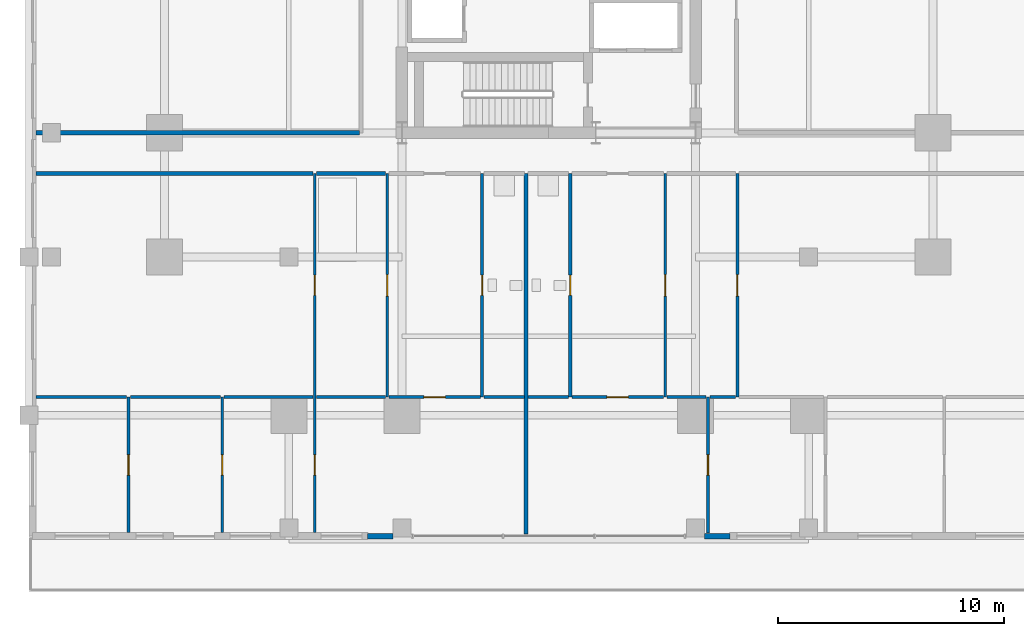
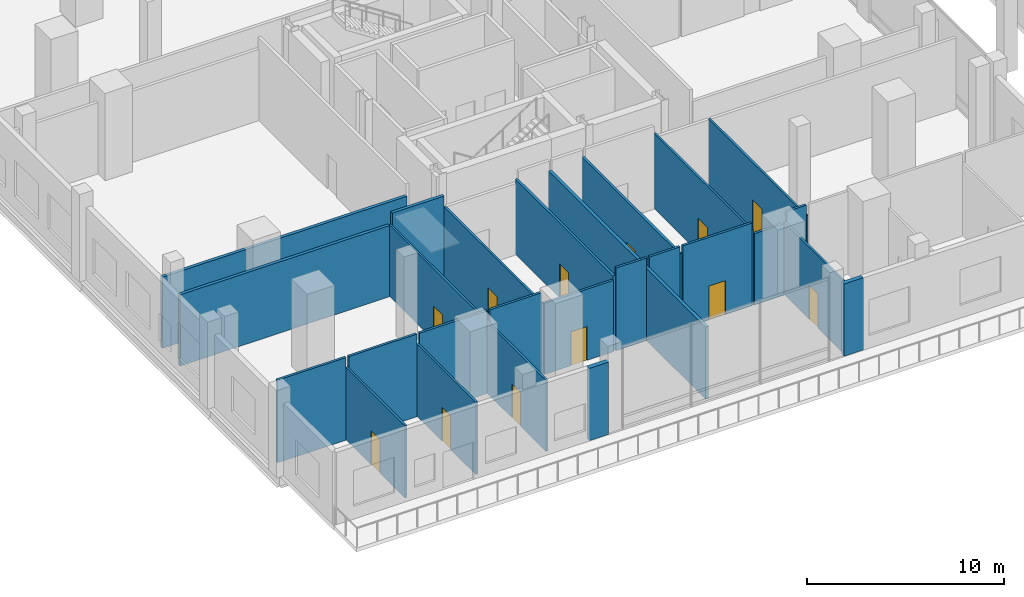
# One storey, part 20 of 32: 25 walls, 12 doors, 12 openings.
"""IFC4 building model written with IfcOpenShell, lengths in metres."""

from ifc_helpers import new_model, si_unit, direction, frame, frame_2d, origin, place, context, subcontext, project, spatial, rectangle, extrude, material, layer, layer_set, type_object, element, fill, save


model = new_model("IFC4")

# Units and contexts
model_context = context("Model", 3, precision=1e-05, world=origin(), true_north=direction((0.0, 1.0)))
body_context = subcontext(model_context, "Body", "Model", "MODEL_VIEW")
ifc_project = project(units=[si_unit("LENGTHUNIT", "METRE"), si_unit("AREAUNIT", "SQUARE_METRE"), si_unit("VOLUMEUNIT", "CUBIC_METRE"), si_unit("PLANEANGLEUNIT", "RADIAN"), si_unit("MASSUNIT", "GRAM", prefix="KILO")], contexts=[model_context])

# Site, building, storey
site_placement = place(None, origin())
site = spatial("IfcSite", under=ifc_project, at=site_placement, CompositionType="ELEMENT")
building_placement = place(site_placement, origin())
building = spatial("IfcBuilding", under=site, at=building_placement, Name="Barlavira Tower and Art Museum", CompositionType="ELEMENT")
storey_placement = place(building_placement, frame((0.0, 0.0, 6.0)))
storey = spatial("IfcBuildingStorey", under=building, at=storey_placement, Name="L01", CompositionType="ELEMENT", Elevation=6.0)

# Wall, opening, door
ifc_material_1 = material(Name="Gypsum acoustic stud partition", Category="gypsum")
ifc_layer_1 = layer(ifc_material_1, 0.1201171875, Name="Gypsum acoustic stud partition")
ifc_layer_set_1 = layer_set([ifc_layer_1], Name="Gypsum acoustic stud partition")
wall_type_1 = type_object("IfcWallType", Name="Apartment Internal Acoustic Partition 120", PredefinedType="PARTITIONING", material=ifc_layer_set_1)
wall_1_placement = place(storey_placement, frame((-18.60009765625, -25.195068359375, 0.0), z_axis=(0.0, 0.0, 1.0), x_axis=(0.0, 1.0, 0.0)))
wall_1 = element("IfcWall", 1, at=wall_1_placement, inside=storey, type_object=wall_type_1, Name="L01 Partition Wall 1", PredefinedType="PARTITIONING", context=body_context, shape_type="SweptSolid", body=[
    extrude(rectangle(XDim=5.9951171875, YDim=0.1201171875, at=frame_2d((2.99755859375, 0.0))), origin(), (0.0, 0.0, 1.0), 4.47607421875),
])
opening_1_placement = place(wall_1_placement, frame((2.544921875, 0.0, 0.0)))
opening_1 = element("IfcOpeningElement", 2, at=opening_1_placement, cuts=wall_1, Name="Opening D-01", PredefinedType="OPENING", context=body_context, shape_type="SweptSolid", body=[
    extrude(rectangle(XDim=0.89990234375, YDim=2.10009765625, at=frame_2d((0.449951171875, 1.050048828125))), frame((0.0, 0.070068359375, 0.0), z_axis=(0.0, -1.0, 0.0), x_axis=(1.0, 0.0, 0.0)), (0.0, 0.0, 1.0), 0.14013671875),
])
ifc_material_2 = material(Name="Engineered coastal hardwood", Category="wood")
door_type_1 = type_object("IfcDoorType", Name="Internal Bedroom Timber Flush Door 900x2100", OperationType="NOTDEFINED", PredefinedType="DOOR", material=ifc_material_2)
door_1_placement = place(opening_1_placement, origin())
door_1 = element("IfcDoor", 3, at=door_1_placement, inside=storey, type_object=door_type_1, Name="Apartment P1-SW Sunroom Lounge 3 Door", OperationType="SINGLE_SWING_RIGHT", OverallHeight=2.10009765625, OverallWidth=0.89990234375, PredefinedType="DOOR", context=body_context, shape_type="SweptSolid", body=[
    extrude(rectangle(XDim=0.89990234375, YDim=2.10009765625, at=frame_2d((0.449951171875, 1.050048828125))), frame((0.0, 0.02490234375, 0.0), z_axis=(0.0, -1.0, 0.0), x_axis=(1.0, 0.0, 0.0)), (0.0, 0.0, 1.0), 0.050048828125),
])
fill(opening_1, door_1)

wall_2_placement = place(storey_placement, frame((-14.449951171875, -25.195068359375, 0.0), z_axis=(0.0, 0.0, 1.0), x_axis=(0.0, 1.0, 0.0)))
wall_2 = element("IfcWall", 4, at=wall_2_placement, inside=storey, type_object=wall_type_1, Name="L01 Partition Wall 2", PredefinedType="PARTITIONING", context=body_context, shape_type="SweptSolid", body=[
    extrude(rectangle(XDim=5.9951171875, YDim=0.1201171875, at=frame_2d((2.99755859375, 0.0))), origin(), (0.0, 0.0, 1.0), 4.47607421875),
])
opening_2_placement = place(wall_2_placement, frame((2.544921875, 0.0, 0.0)))
opening_2 = element("IfcOpeningElement", 5, at=opening_2_placement, cuts=wall_2, Name="Opening D-01", PredefinedType="OPENING", context=body_context, shape_type="SweptSolid", body=[
    extrude(rectangle(XDim=0.89990234375, YDim=2.10009765625, at=frame_2d((0.449951171875, 1.050048828125))), frame((0.0, 0.070068359375, 0.0), z_axis=(0.0, -1.0, 0.0), x_axis=(1.0, 0.0, 0.0)), (0.0, 0.0, 1.0), 0.14013671875),
])
door_2_placement = place(opening_2_placement, origin())
door_2 = element("IfcDoor", 6, at=door_2_placement, inside=storey, type_object=door_type_1, Name="Apartment P1-SW Bedroom 2 Door", OperationType="SINGLE_SWING_LEFT", OverallHeight=2.10009765625, OverallWidth=0.89990234375, PredefinedType="DOOR", context=body_context, shape_type="SweptSolid", body=[
    extrude(rectangle(XDim=0.89990234375, YDim=2.10009765625, at=frame_2d((0.449951171875, 1.050048828125))), frame((0.0, 0.02490234375, 0.0), z_axis=(0.0, -1.0, 0.0), x_axis=(1.0, 0.0, 0.0)), (0.0, 0.0, 1.0), 0.050048828125),
])
fill(opening_2, door_2)

# Wall, openings, doors
wall_3_placement = place(storey_placement, frame((-10.35009765625, -25.195068359375, 0.0), z_axis=(0.0, 0.0, 1.0), x_axis=(0.0, 1.0, 0.0)))
wall_3 = element("IfcWall", 7, at=wall_3_placement, inside=storey, type_object=wall_type_1, Name="L01 Partition Wall 3", PredefinedType="PARTITIONING", context=body_context, shape_type="SweptSolid", body=[
    extrude(rectangle(XDim=15.89501953125, YDim=0.1201171875, at=frame_2d((7.947509765625, 0.0))), origin(), (0.0, 0.0, 1.0), 4.409912109375),
])
opening_3_placement = place(wall_3_placement, frame((10.4951171875, 0.0, 0.0)))
opening_3 = element("IfcOpeningElement", 8, at=opening_3_placement, cuts=wall_3, Name="Opening D-01", PredefinedType="OPENING", context=body_context, shape_type="SweptSolid", body=[
    extrude(rectangle(XDim=0.89990234375, YDim=2.10009765625, at=frame_2d((0.449951171875, 1.050048828125))), frame((0.0, 0.070068359375, 0.0), z_axis=(0.0, -1.0, 0.0), x_axis=(1.0, 0.0, 0.0)), (0.0, 0.0, 1.0), 0.14013671875),
])
opening_4_placement = place(wall_3_placement, frame((2.544921875, 0.0, 0.0)))
opening_4 = element("IfcOpeningElement", 9, at=opening_4_placement, cuts=wall_3, Name="Opening D-01", PredefinedType="OPENING", context=body_context, shape_type="SweptSolid", body=[
    extrude(rectangle(XDim=0.89990234375, YDim=2.10009765625, at=frame_2d((0.449951171875, 1.050048828125))), frame((0.0, 0.070068359375, 0.0), z_axis=(0.0, -1.0, 0.0), x_axis=(1.0, 0.0, 0.0)), (0.0, 0.0, 1.0), 0.14013671875),
])
door_3_placement = place(opening_3_placement, origin())
door_3 = element("IfcDoor", 10, at=door_3_placement, inside=storey, type_object=door_type_1, Name="Apartment P1-SW Walk-In Dressing Room Door", OperationType="SINGLE_SWING_RIGHT", OverallHeight=2.10009765625, OverallWidth=0.89990234375, PredefinedType="DOOR", context=body_context, shape_type="SweptSolid", body=[
    extrude(rectangle(XDim=0.89990234375, YDim=2.10009765625, at=frame_2d((0.449951171875, 1.050048828125))), frame((0.0, 0.02490234375, 0.0), z_axis=(0.0, -1.0, 0.0), x_axis=(1.0, 0.0, 0.0)), (0.0, 0.0, 1.0), 0.050048828125),
])
fill(opening_3, door_3)
door_4_placement = place(opening_4_placement, origin())
door_4 = element("IfcDoor", 11, at=door_4_placement, inside=storey, type_object=door_type_1, Name="Apartment P1-SW Bedroom 1 Door", OperationType="SINGLE_SWING_RIGHT", OverallHeight=2.10009765625, OverallWidth=0.89990234375, PredefinedType="DOOR", context=body_context, shape_type="SweptSolid", body=[
    extrude(rectangle(XDim=0.89990234375, YDim=2.10009765625, at=frame_2d((0.449951171875, 1.050048828125))), frame((0.0, 0.02490234375, 0.0), z_axis=(0.0, -1.0, 0.0), x_axis=(1.0, 0.0, 0.0)), (0.0, 0.0, 1.0), 0.050048828125),
])
fill(opening_4, door_4)

# Wall, opening, door
wall_4_placement = place(storey_placement, frame((-7.14990234375, -19.199951171875, 0.0), z_axis=(0.0, 0.0, 1.0), x_axis=(0.0, 1.0, 0.0)))
wall_4 = element("IfcWall", 12, at=wall_4_placement, inside=storey, type_object=wall_type_1, Name="L01 Partition Wall 5", PredefinedType="PARTITIONING", context=body_context, shape_type="SweptSolid", body=[
    extrude(rectangle(XDim=9.89990234375, YDim=0.1201171875, at=frame_2d((4.949951171875, 0.0))), origin(), (0.0, 0.0, 1.0), 4.409912109375),
])
opening_5_placement = place(wall_4_placement, frame((4.47509765625, 0.0, 0.0)))
opening_5 = element("IfcOpeningElement", 13, at=opening_5_placement, cuts=wall_4, Name="Opening D-02", PredefinedType="OPENING", context=body_context, shape_type="SweptSolid", body=[
    extrude(rectangle(XDim=0.949951171875, YDim=2.10009765625, at=frame_2d((0.47509765625, 1.050048828125))), frame((0.0, 0.070068359375, 0.0), z_axis=(0.0, -1.0, 0.0), x_axis=(1.0, 0.0, 0.0)), (0.0, 0.0, 1.0), 0.14013671875),
])
door_type_2 = type_object("IfcDoorType", Name="Living and Salon Glazed-Leaf Door 950x2100", OperationType="NOTDEFINED", PredefinedType="DOOR", material=ifc_material_2)
door_5_placement = place(opening_5_placement, origin())
door_5 = element("IfcDoor", 14, at=door_5_placement, inside=storey, type_object=door_type_2, Name="Apartment P1-SW Kitchen Door", OperationType="SINGLE_SWING_LEFT", OverallHeight=2.10009765625, OverallWidth=0.949951171875, PredefinedType="DOOR", context=body_context, shape_type="SweptSolid", body=[
    extrude(rectangle(XDim=0.949951171875, YDim=2.10009765625, at=frame_2d((0.47509765625, 1.050048828125))), frame((0.0, 0.02490234375, 0.0), z_axis=(0.0, -1.0, 0.0), x_axis=(1.0, 0.0, 0.0)), (0.0, 0.0, 1.0), 0.050048828125),
])
fill(opening_5, door_5)

wall_5_placement = place(storey_placement, frame((5.14990234375, -19.199951171875, 0.0), z_axis=(0.0, 0.0, 1.0), x_axis=(0.0, 1.0, 0.0)))
wall_5 = element("IfcWall", 15, at=wall_5_placement, inside=storey, type_object=wall_type_1, Name="L01 Partition Wall 11", PredefinedType="PARTITIONING", context=body_context, shape_type="SweptSolid", body=[
    extrude(rectangle(XDim=9.89990234375, YDim=0.1201171875, at=frame_2d((4.949951171875, 0.0))), origin(), (0.0, 0.0, 1.0), 4.64208984375),
])
opening_6_placement = place(wall_5_placement, frame((4.47509765625, 0.0, 0.0)))
opening_6 = element("IfcOpeningElement", 16, at=opening_6_placement, cuts=wall_5, Name="Opening D-02", PredefinedType="OPENING", context=body_context, shape_type="SweptSolid", body=[
    extrude(rectangle(XDim=0.949951171875, YDim=2.10009765625, at=frame_2d((0.47509765625, 1.050048828125))), frame((0.0, 0.070068359375, 0.0), z_axis=(0.0, -1.0, 0.0), x_axis=(1.0, 0.0, 0.0)), (0.0, 0.0, 1.0), 0.14013671875),
])
door_6_placement = place(opening_6_placement, origin())
door_6 = element("IfcDoor", 17, at=door_6_placement, inside=storey, type_object=door_type_2, Name="Apartment P1-SE Kitchen Door", OperationType="SINGLE_SWING_LEFT", OverallHeight=2.10009765625, OverallWidth=0.949951171875, PredefinedType="DOOR", context=body_context, shape_type="SweptSolid", body=[
    extrude(rectangle(XDim=0.949951171875, YDim=2.10009765625, at=frame_2d((0.47509765625, 1.050048828125))), frame((0.0, 0.02490234375, 0.0), z_axis=(0.0, -1.0, 0.0), x_axis=(1.0, 0.0, 0.0)), (0.0, 0.0, 1.0), 0.050048828125),
])
fill(opening_6, door_6)

wall_6_placement = place(storey_placement, frame((7.050048828125, -25.219970703125, 0.0), z_axis=(0.0, 0.0, 1.0), x_axis=(0.0, 1.0, 0.0)))
wall_6 = element("IfcWall", 18, at=wall_6_placement, inside=storey, type_object=wall_type_1, Name="L01 Partition Wall 12", PredefinedType="PARTITIONING", context=body_context, shape_type="SweptSolid", body=[
    extrude(rectangle(XDim=6.02001953125, YDim=0.1201171875, at=frame_2d((3.010009765625, 0.0))), origin(), (0.0, 0.0, 1.0), 4.47607421875),
])
opening_7_placement = place(wall_6_placement, frame((2.570068359375, 0.0, 0.0)))
opening_7 = element("IfcOpeningElement", 19, at=opening_7_placement, cuts=wall_6, Name="Opening D-01", PredefinedType="OPENING", context=body_context, shape_type="SweptSolid", body=[
    extrude(rectangle(XDim=0.89990234375, YDim=2.10009765625, at=frame_2d((0.449951171875, 1.050048828125))), frame((0.0, 0.070068359375, 0.0), z_axis=(0.0, -1.0, 0.0), x_axis=(1.0, 0.0, 0.0)), (0.0, 0.0, 1.0), 0.14013671875),
])
door_7_placement = place(opening_7_placement, origin())
door_7 = element("IfcDoor", 20, at=door_7_placement, inside=storey, type_object=door_type_1, Name="Apartment P1-SE Bedroom 1 Door", OperationType="SINGLE_SWING_RIGHT", OverallHeight=2.10009765625, OverallWidth=0.89990234375, PredefinedType="DOOR", context=body_context, shape_type="SweptSolid", body=[
    extrude(rectangle(XDim=0.89990234375, YDim=2.10009765625, at=frame_2d((0.449951171875, 1.050048828125))), frame((0.0, 0.02490234375, 0.0), z_axis=(0.0, -1.0, 0.0), x_axis=(1.0, 0.0, 0.0)), (0.0, 0.0, 1.0), 0.050048828125),
])
fill(opening_7, door_7)

wall_7_placement = place(storey_placement, frame((8.35009765625, -19.199951171875, 0.0), z_axis=(0.0, 0.0, 1.0), x_axis=(0.0, 1.0, 0.0)))
wall_7 = element("IfcWall", 21, at=wall_7_placement, inside=storey, type_object=wall_type_1, Name="L01 Partition Wall 14", PredefinedType="PARTITIONING", context=body_context, shape_type="SweptSolid", body=[
    extrude(rectangle(XDim=9.89990234375, YDim=0.1201171875, at=frame_2d((4.949951171875, 0.0))), origin(), (0.0, 0.0, 1.0), 4.409912109375),
])
opening_8_placement = place(wall_7_placement, frame((4.47509765625, 0.0, 0.0)))
opening_8 = element("IfcOpeningElement", 22, at=opening_8_placement, cuts=wall_7, Name="Opening D-02", PredefinedType="OPENING", context=body_context, shape_type="SweptSolid", body=[
    extrude(rectangle(XDim=0.949951171875, YDim=2.10009765625, at=frame_2d((0.47509765625, 1.050048828125))), frame((0.0, 0.070068359375, 0.0), z_axis=(0.0, -1.0, 0.0), x_axis=(1.0, 0.0, 0.0)), (0.0, 0.0, 1.0), 0.14013671875),
])
door_8_placement = place(opening_8_placement, origin())
door_8 = element("IfcDoor", 23, at=door_8_placement, inside=storey, type_object=door_type_2, Name="Apartment P1-SE Dining Salon Door", OperationType="SINGLE_SWING_RIGHT", OverallHeight=2.10009765625, OverallWidth=0.949951171875, PredefinedType="DOOR", context=body_context, shape_type="SweptSolid", body=[
    extrude(rectangle(XDim=0.949951171875, YDim=2.10009765625, at=frame_2d((0.47509765625, 1.050048828125))), frame((0.0, 0.02490234375, 0.0), z_axis=(0.0, -1.0, 0.0), x_axis=(1.0, 0.0, 0.0)), (0.0, 0.0, 1.0), 0.050048828125),
])
fill(opening_8, door_8)

# Walls
ifc_layer_2 = layer(ifc_material_1, 0.179931640625, Name="Gypsum acoustic stud partition")
ifc_layer_set_2 = layer_set([ifc_layer_2], Name="Gypsum acoustic stud partition")
wall_type_2 = type_object("IfcWallType", Name="Inter-Tenancy Party Partition Wall 180", PredefinedType="PARTITIONING", material=ifc_layer_set_2)
wall_8_placement = place(storey_placement, frame((-1.0, -25.2548828125, 0.0), z_axis=(0.0, 0.0, 1.0), x_axis=(0.0, 1.0, 0.0)))
element("IfcWall", 24, at=wall_8_placement, inside=storey, type_object=wall_type_2, Name="L01 Partition Wall 7", PredefinedType="PARTITIONING", context=body_context, shape_type="SweptSolid", body=[
    extrude(rectangle(XDim=15.954833984375, YDim=0.179931640625, at=frame_2d((7.9775390625, 0.0))), origin(), (0.0, 0.0, 1.0), 4.47607421875),
])
wall_9_placement = place(storey_placement, frame((-22.695068359375, -9.300048828125, 0.0), z_axis=(0.0, 0.0, 1.0), x_axis=(1.0, 0.0, 0.0)))
element("IfcWall", 25, at=wall_9_placement, inside=storey, type_object=wall_type_2, Name="L01 Partition Wall 41", PredefinedType="PARTITIONING", context=body_context, shape_type="SweptSolid", body=[
    extrude(rectangle(XDim=12.26513671875, YDim=0.179931640625, at=frame_2d((6.132568359375, 0.0))), origin(), (0.0, 0.0, 1.0), 4.409912109375),
])
wall_10_placement = place(storey_placement, frame((-10.27001953125, -9.300048828125, 0.0), z_axis=(0.0, 0.0, 1.0), x_axis=(1.0, 0.0, 0.0)))
element("IfcWall", 26, at=wall_10_placement, inside=storey, type_object=wall_type_2, Name="L01 Partition Wall 42", PredefinedType="PARTITIONING", context=body_context, shape_type="SweptSolid", body=[
    extrude(rectangle(XDim=3.0400390625, YDim=0.179931640625, at=frame_2d((1.52001953125, 0.0))), origin(), (0.0, 0.0, 1.0), 5.1201171875),
])
wall_11_placement = place(storey_placement, frame((-22.695068359375, -7.5, 0.0), z_axis=(0.0, 0.0, 1.0), x_axis=(1.0, 0.0, 0.0)))
element("IfcWall", 27, at=wall_11_placement, inside=storey, type_object=wall_type_2, Name="L01 Partition Wall 49", PredefinedType="PARTITIONING", context=body_context, shape_type="SweptSolid", body=[
    extrude(rectangle(XDim=14.315185546875, YDim=0.179931640625, at=frame_2d((7.15771484375, 0.0))), origin(), (0.0, 0.0, 1.0), 4.409912109375),
])

# Wall, opening, door
ifc_layer_3 = layer(ifc_material_1, 0.139892578125, Name="Gypsum acoustic stud partition")
ifc_layer_set_3 = layer_set([ifc_layer_3], Name="Gypsum acoustic stud partition")
wall_type_3 = type_object("IfcWallType", Name="Moisture-Resistant Bathroom Partition 140", PredefinedType="PARTITIONING", material=ifc_layer_set_3)
wall_12_placement = place(storey_placement, frame((-2.949951171875, -19.199951171875, 0.0), z_axis=(0.0, 0.0, 1.0), x_axis=(0.0, 1.0, 0.0)))
wall_12 = element("IfcWall", 28, at=wall_12_placement, inside=storey, type_object=wall_type_3, Name="L01 Partition Wall 6", PredefinedType="PARTITIONING", context=body_context, shape_type="SweptSolid", body=[
    extrude(rectangle(XDim=9.89990234375, YDim=0.139892578125, at=frame_2d((4.949951171875, 0.0))), origin(), (0.0, 0.0, 1.0), 4.64208984375),
])
opening_9_placement = place(wall_12_placement, frame((4.5, 0.0, 0.0)))
opening_9 = element("IfcOpeningElement", 29, at=opening_9_placement, cuts=wall_12, Name="Opening D-WC", PredefinedType="OPENING", context=body_context, shape_type="SweptSolid", body=[
    extrude(rectangle(XDim=0.89990234375, YDim=2.10009765625, at=frame_2d((0.449951171875, 1.050048828125))), frame((0.0, 0.080078125, 0.0), z_axis=(0.0, -1.0, 0.0), x_axis=(1.0, 0.0, 0.0)), (0.0, 0.0, 1.0), 0.159912109375),
])
door_type_3 = type_object("IfcDoorType", Name="Accessible Bathroom Flush Door 900x2100", OperationType="NOTDEFINED", PredefinedType="DOOR", material=ifc_material_2)
door_9_placement = place(opening_9_placement, origin())
door_9 = element("IfcDoor", 30, at=door_9_placement, inside=storey, type_object=door_type_3, Name="Apartment P1-SW Hall Bathroom Door", OperationType="SINGLE_SWING_LEFT", OverallHeight=2.10009765625, OverallWidth=0.89990234375, PredefinedType="DOOR", context=body_context, shape_type="SweptSolid", body=[
    extrude(rectangle(XDim=0.89990234375, YDim=2.10009765625, at=frame_2d((0.449951171875, 1.050048828125))), frame((0.0, 0.02490234375, 0.0), z_axis=(0.0, -1.0, 0.0), x_axis=(1.0, 0.0, 0.0)), (0.0, 0.0, 1.0), 0.050048828125),
])
fill(opening_9, door_9)

wall_13_placement = place(storey_placement, frame((0.949951171875, -19.199951171875, 0.0), z_axis=(0.0, 0.0, 1.0), x_axis=(0.0, 1.0, 0.0)))
wall_13 = element("IfcWall", 31, at=wall_13_placement, inside=storey, type_object=wall_type_3, Name="L01 Partition Wall 9", PredefinedType="PARTITIONING", context=body_context, shape_type="SweptSolid", body=[
    extrude(rectangle(XDim=9.89990234375, YDim=0.139892578125, at=frame_2d((4.949951171875, 0.0))), origin(), (0.0, 0.0, 1.0), 4.64208984375),
])
opening_10_placement = place(wall_13_placement, frame((4.5, 0.0, 0.0)))
opening_10 = element("IfcOpeningElement", 32, at=opening_10_placement, cuts=wall_13, Name="Opening D-WC", PredefinedType="OPENING", context=body_context, shape_type="SweptSolid", body=[
    extrude(rectangle(XDim=0.89990234375, YDim=2.10009765625, at=frame_2d((0.449951171875, 1.050048828125))), frame((0.0, 0.080078125, 0.0), z_axis=(0.0, -1.0, 0.0), x_axis=(1.0, 0.0, 0.0)), (0.0, 0.0, 1.0), 0.159912109375),
])
door_10_placement = place(opening_10_placement, origin())
door_10 = element("IfcDoor", 33, at=door_10_placement, inside=storey, type_object=door_type_3, Name="Apartment P1-SE Hall Bathroom Door", OperationType="SINGLE_SWING_LEFT", OverallHeight=2.10009765625, OverallWidth=0.89990234375, PredefinedType="DOOR", context=body_context, shape_type="SweptSolid", body=[
    extrude(rectangle(XDim=0.89990234375, YDim=2.10009765625, at=frame_2d((0.449951171875, 1.050048828125))), frame((0.0, 0.02490234375, 0.0), z_axis=(0.0, -1.0, 0.0), x_axis=(1.0, 0.0, 0.0)), (0.0, 0.0, 1.0), 0.050048828125),
])
fill(opening_10, door_10)

# Walls
wall_14_placement = place(storey_placement, frame((-22.695068359375, -19.199951171875, 0.0), z_axis=(0.0, 0.0, 1.0), x_axis=(1.0, 0.0, 0.0)))
element("IfcWall", 34, at=wall_14_placement, inside=storey, type_object=wall_type_3, Name="L01 Partition Wall 24", PredefinedType="PARTITIONING", context=body_context, shape_type="SweptSolid", body=[
    extrude(rectangle(XDim=4.01513671875, YDim=0.139892578125, at=frame_2d((2.007568359375, 0.0))), origin(), (0.0, 0.0, 1.0), 5.1201171875),
])
wall_15_placement = place(storey_placement, frame((-18.52001953125, -19.199951171875, 0.0), z_axis=(0.0, 0.0, 1.0), x_axis=(1.0, 0.0, 0.0)))
element("IfcWall", 35, at=wall_15_placement, inside=storey, type_object=wall_type_3, Name="L01 Partition Wall 25", PredefinedType="PARTITIONING", context=body_context, shape_type="SweptSolid", body=[
    extrude(rectangle(XDim=3.989990234375, YDim=0.139892578125, at=frame_2d((1.9951171875, 0.0))), origin(), (0.0, 0.0, 1.0), 5.1201171875),
])
wall_16_placement = place(storey_placement, frame((-14.3701171875, -19.199951171875, 0.0), z_axis=(0.0, 0.0, 1.0), x_axis=(1.0, 0.0, 0.0)))
element("IfcWall", 36, at=wall_16_placement, inside=storey, type_object=wall_type_3, Name="L01 Partition Wall 26", PredefinedType="PARTITIONING", context=body_context, shape_type="SweptSolid", body=[
    extrude(rectangle(XDim=3.940185546875, YDim=0.139892578125, at=frame_2d((1.97021484375, 0.0))), origin(), (0.0, 0.0, 1.0), 5.1201171875),
])
wall_17_placement = place(storey_placement, frame((-10.27001953125, -19.199951171875, 0.0), z_axis=(0.0, 0.0, 1.0), x_axis=(1.0, 0.0, 0.0)))
element("IfcWall", 37, at=wall_17_placement, inside=storey, type_object=wall_type_3, Name="L01 Partition Wall 27", PredefinedType="PARTITIONING", context=body_context, shape_type="SweptSolid", body=[
    extrude(rectangle(XDim=3.0400390625, YDim=0.139892578125, at=frame_2d((1.52001953125, 0.0))), origin(), (0.0, 0.0, 1.0), 5.1201171875),
])

# Wall, opening, door
wall_18_placement = place(storey_placement, frame((-7.070068359375, -19.199951171875, 0.0), z_axis=(0.0, 0.0, 1.0), x_axis=(1.0, 0.0, 0.0)))
wall_18 = element("IfcWall", 38, at=wall_18_placement, inside=storey, type_object=wall_type_3, Name="L01 Partition Wall 28", PredefinedType="PARTITIONING", context=body_context, shape_type="SweptSolid", body=[
    extrude(rectangle(XDim=4.0400390625, YDim=0.139892578125, at=frame_2d((2.02001953125, 0.0))), origin(), (0.0, 0.0, 1.0), 4.409912109375),
])
opening_11_placement = place(wall_18_placement, frame((1.544921875, 0.0, 0.0)))
opening_11 = element("IfcOpeningElement", 39, at=opening_11_placement, cuts=wall_18, Name="Opening D-02", PredefinedType="OPENING", context=body_context, shape_type="SweptSolid", body=[
    extrude(rectangle(XDim=0.949951171875, YDim=2.10009765625, at=frame_2d((0.47509765625, 1.050048828125))), frame((0.0, 0.080078125, 0.0), z_axis=(0.0, -1.0, 0.0), x_axis=(1.0, 0.0, 0.0)), (0.0, 0.0, 1.0), 0.159912109375),
])
door_11_placement = place(opening_11_placement, origin())
door_11 = element("IfcDoor", 40, at=door_11_placement, inside=storey, type_object=door_type_2, Name="Apartment P1-SW Living Lounge Door", OperationType="SINGLE_SWING_LEFT", OverallHeight=2.10009765625, OverallWidth=0.949951171875, PredefinedType="DOOR", context=body_context, shape_type="SweptSolid", body=[
    extrude(rectangle(XDim=0.949951171875, YDim=2.10009765625, at=frame_2d((0.47509765625, 1.050048828125))), frame((0.0, 0.02490234375, 0.0), z_axis=(0.0, -1.0, 0.0), x_axis=(1.0, 0.0, 0.0)), (0.0, 0.0, 1.0), 0.050048828125),
])
fill(opening_11, door_11)

# Walls
for number, where, z_axis, x_axis, name in (
    (41, (-2.8701171875, -19.199951171875, 0.0), (0.0, 0.0, 1.0), (1.0, 0.0, 0.0), "L01 Partition Wall 29"),
    (42, (-0.919921875, -19.199951171875, 0.0), (0.0, 0.0, 1.0), (1.0, 0.0, 0.0), "L01 Partition Wall 30"),
):
    element("IfcWall", number, at=place(storey_placement, frame(where, z_axis=z_axis, x_axis=x_axis)), inside=storey, type_object=wall_type_3, Name=name, PredefinedType="PARTITIONING", context=body_context, shape_type="SweptSolid", body=[
        extrude(rectangle(XDim=1.7900390625, YDim=0.139892578125, at=frame_2d((0.89501953125, 0.0))), origin(), (0.0, 0.0, 1.0), 5.1201171875),
    ])

# Wall, opening, door
wall_19_placement = place(storey_placement, frame((1.030029296875, -19.199951171875, 0.0), z_axis=(0.0, 0.0, 1.0), x_axis=(1.0, 0.0, 0.0)))
wall_19 = element("IfcWall", 43, at=wall_19_placement, inside=storey, type_object=wall_type_3, Name="L01 Partition Wall 31", PredefinedType="PARTITIONING", context=body_context, shape_type="SweptSolid", body=[
    extrude(rectangle(XDim=4.0400390625, YDim=0.139892578125, at=frame_2d((2.02001953125, 0.0))), origin(), (0.0, 0.0, 1.0), 5.1201171875),
])
opening_12_placement = place(wall_19_placement, frame((1.544921875, 0.0, 0.0)))
opening_12 = element("IfcOpeningElement", 44, at=opening_12_placement, cuts=wall_19, Name="Opening D-02", PredefinedType="OPENING", context=body_context, shape_type="SweptSolid", body=[
    extrude(rectangle(XDim=0.949951171875, YDim=2.10009765625, at=frame_2d((0.47509765625, 1.050048828125))), frame((0.0, 0.080078125, 0.0), z_axis=(0.0, -1.0, 0.0), x_axis=(1.0, 0.0, 0.0)), (0.0, 0.0, 1.0), 0.159912109375),
])
door_12_placement = place(opening_12_placement, origin())
door_12 = element("IfcDoor", 45, at=door_12_placement, inside=storey, type_object=door_type_2, Name="Apartment P1-SE Living Lounge Door", OperationType="SINGLE_SWING_LEFT", OverallHeight=2.10009765625, OverallWidth=0.949951171875, PredefinedType="DOOR", context=body_context, shape_type="SweptSolid", body=[
    extrude(rectangle(XDim=0.949951171875, YDim=2.10009765625, at=frame_2d((0.47509765625, 1.050048828125))), frame((0.0, 0.02490234375, 0.0), z_axis=(0.0, -1.0, 0.0), x_axis=(1.0, 0.0, 0.0)), (0.0, 0.0, 1.0), 0.050048828125),
])
fill(opening_12, door_12)

# Walls
wall_20_placement = place(storey_placement, frame((5.22998046875, -19.199951171875, 0.0), z_axis=(0.0, 0.0, 1.0), x_axis=(1.0, 0.0, 0.0)))
element("IfcWall", 46, at=wall_20_placement, inside=storey, type_object=wall_type_3, Name="L01 Partition Wall 32", PredefinedType="PARTITIONING", context=body_context, shape_type="SweptSolid", body=[
    extrude(rectangle(XDim=1.739990234375, YDim=0.139892578125, at=frame_2d((0.8701171875, 0.0))), origin(), (0.0, 0.0, 1.0), 4.409912109375),
])
wall_21_placement = place(storey_placement, frame((7.1298828125, -19.199951171875, 0.0), z_axis=(0.0, 0.0, 1.0), x_axis=(1.0, 0.0, 0.0)))
element("IfcWall", 47, at=wall_21_placement, inside=storey, type_object=wall_type_3, Name="L01 Partition Wall 33", PredefinedType="PARTITIONING", context=body_context, shape_type="SweptSolid", body=[
    extrude(rectangle(XDim=1.14013671875, YDim=0.139892578125, at=frame_2d((0.570068359375, 0.0))), origin(), (0.0, 0.0, 1.0), 5.1201171875),
])
ifc_material_3 = material(Name="Precast concrete C40", Category="concrete")
ifc_layer_4 = layer(ifc_material_3, 0.25, Name="Precast concrete C40")
ifc_layer_set_4 = layer_set([ifc_layer_4], Name="Precast concrete C40")
wall_type_4 = type_object("IfcWallType", Name="Notched Corner Spandrel Wall 250 Precast Concrete C40", PredefinedType="SOLIDWALL", material=ifc_layer_set_4)
for number, where, z_axis, x_axis, name in (
    (48, (-8.02490234375, -25.35009765625, 0.0), (0.0, 0.0, 1.0), (1.0, 0.0, 0.0), "L01 Coastal Facade Pier Wall CW1-L01-S-1"),
    (49, (6.89501953125, -25.35009765625, 0.0), (0.0, 0.0, 1.0), (1.0, 0.0, 0.0), "L01 Coastal Facade Pier Wall CW1-L01-S-3"),
):
    element("IfcWall", number, at=place(storey_placement, frame(where, z_axis=z_axis, x_axis=x_axis)), inside=storey, type_object=wall_type_4, Name=name, PredefinedType="SOLIDWALL", context=body_context, shape_type="SweptSolid", body=[
        extrude(rectangle(XDim=1.1298828125, YDim=0.25, at=frame_2d((0.56494140625, 0.0))), origin(), (0.0, 0.0, 1.0), 4.47607421875),
    ])

save(model, "model.ifc")
